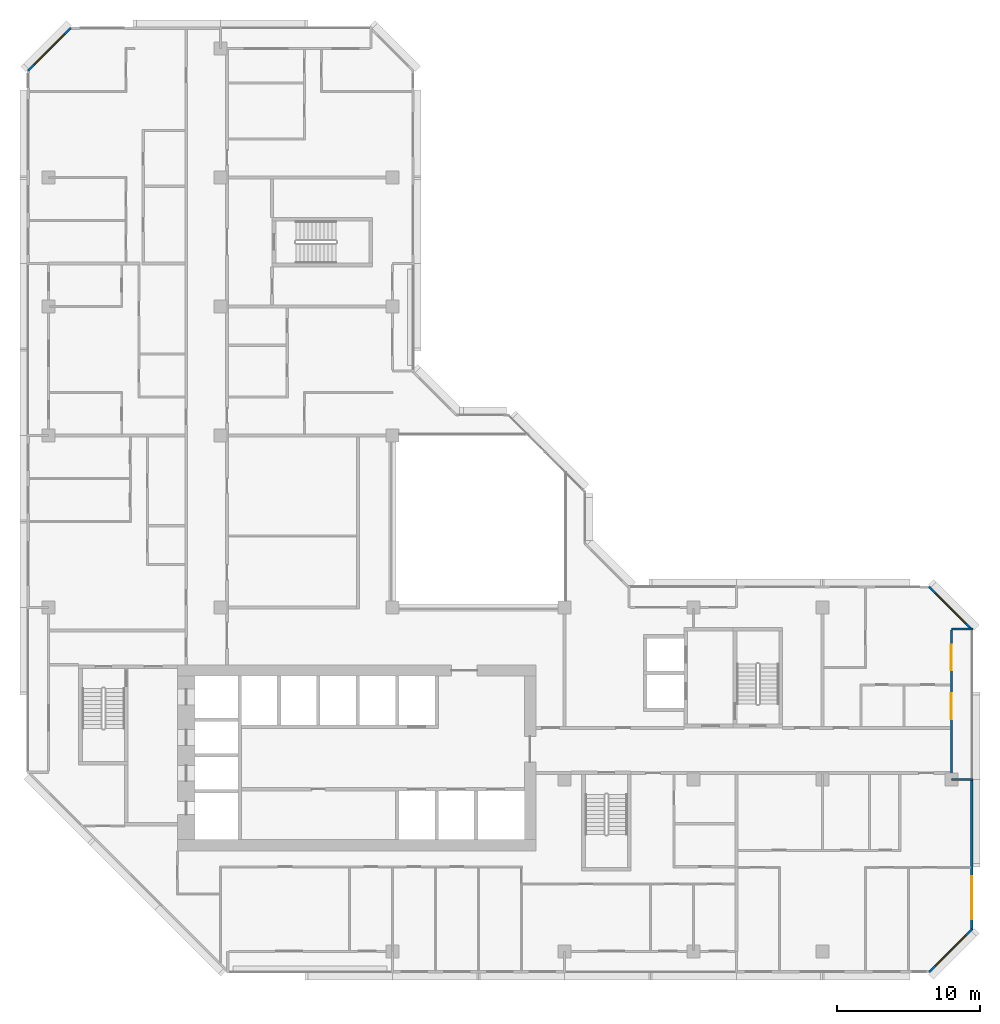
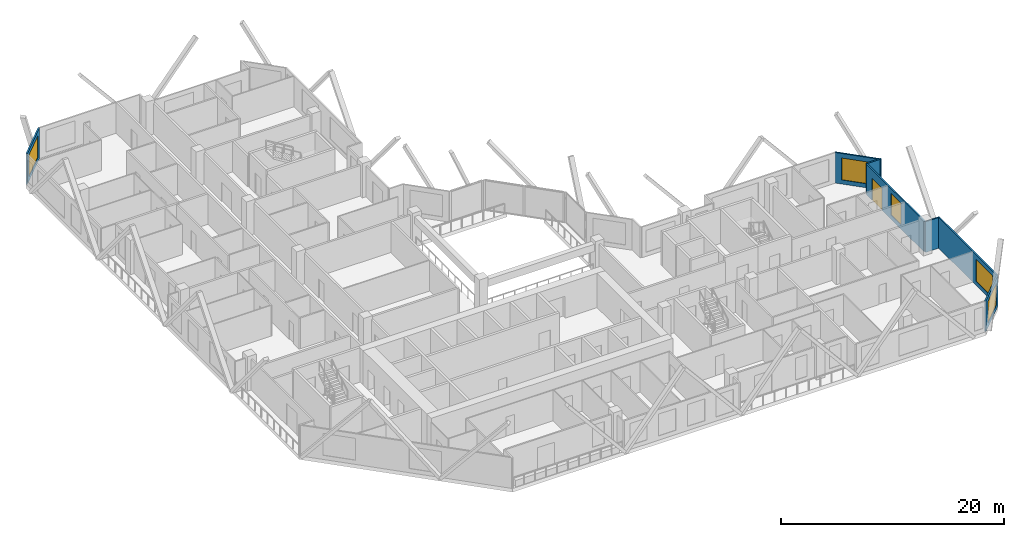
# One storey, part 11 of 14: 7 walls, 5 windows, 1 door, 6 openings.
"""IFC4 building model written with IfcOpenShell, lengths in metres."""

from ifc_helpers import new_model, si_unit, direction, frame, frame_2d, origin, place, context, subcontext, project, spatial, rectangle, extrude, material, layer, layer_set, type_object, element, fill, save


model = new_model("IFC4")

# Units and contexts
model_context = context("Model", 3, precision=1e-05, world=origin(), true_north=direction((0.0, 1.0)))
body_context = subcontext(model_context, "Body", "Model", "MODEL_VIEW")
ifc_project = project(units=[si_unit("LENGTHUNIT", "METRE"), si_unit("AREAUNIT", "SQUARE_METRE"), si_unit("VOLUMEUNIT", "CUBIC_METRE"), si_unit("PLANEANGLEUNIT", "RADIAN"), si_unit("MASSUNIT", "GRAM", prefix="KILO")], contexts=[model_context])

# Site, building, storey
site_placement = place(None, origin())
site = spatial("IfcSite", under=ifc_project, at=site_placement, CompositionType="ELEMENT")
building_placement = place(site_placement, origin())
building = spatial("IfcBuilding", under=site, at=building_placement, Name="Chenar Terraces", CompositionType="ELEMENT")
storey_placement = place(building_placement, frame((0.0, 0.0, 179.89990234375)))
storey = spatial("IfcBuildingStorey", under=building, at=storey_placement, Name="L41", CompositionType="ELEMENT", Elevation=179.89990234375)

# Wall, opening, window
ifc_material_1 = material(Name="Aluminium framed glazing", Category="aluminium")
ifc_layer_1 = layer(ifc_material_1, 0.14990234375)
ifc_layer_set_1 = layer_set([ifc_layer_1], Name="Aluminium framed glazing")
wall_type_1 = type_object("IfcWallType", Name="Glazed flush facade wall 150", PredefinedType="SOLIDWALL", material=ifc_layer_set_1)
wall_1_placement = place(storey_placement, frame((64.425048828125, 1.5, 0.0), z_axis=(0.0, 0.0, 1.0), x_axis=(0.0, 1.0, 0.0)))
wall_1 = element("IfcWall", 1, at=wall_1_placement, inside=storey, type_object=wall_type_1, Name="Glazed flush facade wall", PredefinedType="SOLIDWALL", context=body_context, shape_type="SweptSolid", body=[
    extrude(rectangle(XDim=10.425048828125, YDim=0.14990234375, at=frame_2d((5.21240234375, 0.0))), origin(), (0.0, 0.0, 1.0), 3.35009765625),
])
opening_1_placement = place(wall_1_placement, frame((0.75, 0.0, 0.449951171875)))
opening_1 = element("IfcOpeningElement", 2, at=opening_1_placement, cuts=wall_1, Name="Opening W300x240", PredefinedType="OPENING", context=body_context, shape_type="SweptSolid", body=[
    extrude(rectangle(XDim=3.0, YDim=2.39990234375, at=frame_2d((1.5, 1.199951171875))), frame((0.0, 0.0849609375, 0.0), z_axis=(0.0, -1.0, 0.0), x_axis=(1.0, 0.0, 0.0)), (0.0, 0.0, 1.0), 0.169921875),
])
ifc_material_2 = material(Name="Low emissivity double glazing, aluminium frame", Category="aluminium")
window_type_1 = type_object("IfcWindowType", Name="Fixed light 3000 x 2400", PartitioningType="SINGLE_PANEL", PredefinedType="WINDOW", material=ifc_material_2)
window_1_placement = place(opening_1_placement, origin())
window_1 = element("IfcWindow", 3, at=window_1_placement, inside=storey, type_object=window_type_1, Name="Window", OverallHeight=2.39990234375, OverallWidth=3.0, PartitioningType="SINGLE_PANEL", PredefinedType="WINDOW", context=body_context, shape_type="SweptSolid", body=[
    extrude(rectangle(XDim=3.0, YDim=2.39990234375, at=frame_2d((1.5, 1.199951171875))), frame((0.0, 0.030029296875, 0.0), z_axis=(0.0, -1.0, 0.0), x_axis=(1.0, 0.0, 0.0)), (0.0, 0.0, 1.0), 0.06005859375),
])
fill(opening_1, window_1)

# Wall, openings, window, door
ifc_material_3 = material(Name="Aluminium framed glazing", Category="aluminium")
ifc_layer_2 = layer(ifc_material_3, 0.14990234375)
ifc_layer_set_2 = layer_set([ifc_layer_2], Name="Aluminium framed glazing")
wall_type_2 = type_object("IfcWallType", Name="Glazed loggia back wall 150", PredefinedType="SOLIDWALL", material=ifc_layer_set_2)
wall_2_placement = place(storey_placement, frame((63.0, 12.074951171875, 0.0), z_axis=(0.0, 0.0, 1.0), x_axis=(0.0, 1.0, 0.0)))
wall_2 = element("IfcWall", 4, at=wall_2_placement, inside=storey, type_object=wall_type_2, Name="Glazed loggia back wall", PredefinedType="SOLIDWALL", context=body_context, shape_type="SweptSolid", body=[
    extrude(rectangle(XDim=10.35009765625, YDim=0.14990234375, at=frame_2d((5.175048828125, 0.0))), origin(), (0.0, 0.0, 1.0), 3.35009765625),
])
opening_2_placement = place(wall_2_placement, frame((4.125, 0.0, 0.449951171875)))
opening_2 = element("IfcOpeningElement", 5, at=opening_2_placement, cuts=wall_2, Name="Opening W180x240", PredefinedType="OPENING", context=body_context, shape_type="SweptSolid", body=[
    extrude(rectangle(XDim=1.800048828125, YDim=2.39990234375, at=frame_2d((0.89990234375, 1.199951171875))), frame((0.0, 0.0849609375, 0.0), z_axis=(0.0, -1.0, 0.0), x_axis=(1.0, 0.0, 0.0)), (0.0, 0.0, 1.0), 0.169921875),
])
opening_3_placement = place(wall_2_placement, frame((7.53759765625, 0.0, 0.0)))
opening_3 = element("IfcOpeningElement", 6, at=opening_3_placement, cuts=wall_2, Name="Opening DL41-G7", PredefinedType="OPENING", context=body_context, shape_type="SweptSolid", body=[
    extrude(rectangle(XDim=1.800048828125, YDim=2.39990234375, at=frame_2d((0.89990234375, 1.199951171875))), frame((0.0, 0.0849609375, 0.0), z_axis=(0.0, -1.0, 0.0), x_axis=(1.0, 0.0, 0.0)), (0.0, 0.0, 1.0), 0.169921875),
])
ifc_material_4 = material(Name="Low emissivity double glazing, aluminium frame", Category="aluminium")
window_type_2 = type_object("IfcWindowType", Name="Fixed light 1800 x 2400", PartitioningType="SINGLE_PANEL", PredefinedType="WINDOW", material=ifc_material_4)
window_2_placement = place(opening_2_placement, origin())
window_2 = element("IfcWindow", 7, at=window_2_placement, inside=storey, type_object=window_type_2, Name="Window", OverallHeight=2.39990234375, OverallWidth=1.800048828125, PartitioningType="SINGLE_PANEL", PredefinedType="WINDOW", context=body_context, shape_type="SweptSolid", body=[
    extrude(rectangle(XDim=1.800048828125, YDim=2.39990234375, at=frame_2d((0.89990234375, 1.199951171875))), frame((0.0, 0.030029296875, 0.0), z_axis=(0.0, -1.0, 0.0), x_axis=(1.0, 0.0, 0.0)), (0.0, 0.0, 1.0), 0.06005859375),
])
fill(opening_2, window_2)
ifc_material_5 = material(Name="Low emissivity double glazing, aluminium frame", Category="aluminium")
door_type = type_object("IfcDoorType", Name="Loggia glazed double door 1800 x 2400", OperationType="DOUBLE_DOOR_SINGLE_SWING", PredefinedType="DOOR", material=ifc_material_5)
door_placement = place(opening_3_placement, frame((1.800048828125, 0.0, 0.0), z_axis=(0.0, 0.0, 1.0), x_axis=(-1.0, 0.0, 0.0)))
door = element("IfcDoor", 8, at=door_placement, inside=storey, type_object=door_type, Name="Loggia glazed door", OperationType="DOUBLE_DOOR_SINGLE_SWING", OverallHeight=2.39990234375, OverallWidth=1.800048828125, PredefinedType="DOOR", context=body_context, shape_type="SweptSolid", body=[
    extrude(rectangle(XDim=1.800048828125, YDim=2.39990234375, at=frame_2d((0.89990234375, 1.199951171875))), frame((0.0, 0.02490234375, 0.0), z_axis=(0.0, -1.0, 0.0), x_axis=(1.0, 0.0, 0.0)), (0.0, 0.0, 1.0), 0.050048828125),
])
fill(opening_3, door)

# Walls
ifc_material_6 = material(Name="Terracotta cladding on insulated backing", Category="masonry")
ifc_layer_3 = layer(ifc_material_6, 0.14990234375)
ifc_layer_set_3 = layer_set([ifc_layer_3], Name="Terracotta cladding on insulated backing")
wall_type_3 = type_object("IfcWallType", Name="Loggia return wall 150", PredefinedType="SOLIDWALL", material=ifc_layer_set_3)
for number, where, z_axis, x_axis, name in (
    (9, (64.5, 12.0, 0.0), (0.0, 0.0, 1.0), (-1.0, 0.0, 0.0), "Loggia return wall"),
    (10, (64.5, 22.5, 0.0), (0.0, 0.0, 1.0), (-1.0, 0.0, 0.0), "Loggia return wall"),
):
    element("IfcWall", number, at=place(storey_placement, frame(where, z_axis=z_axis, x_axis=x_axis)), inside=storey, type_object=wall_type_3, Name=name, PredefinedType="SOLIDWALL", context=body_context, shape_type="SweptSolid", body=[
        extrude(rectangle(XDim=1.5, YDim=0.14990234375, at=frame_2d((0.75, 0.0))), origin(), (0.0, 0.0, 1.0), 3.35009765625),
    ])

# Wall, opening, window
ifc_material_7 = material(Name="Terracotta cladding on insulated backing", Category="masonry")
ifc_layer_4 = layer(ifc_material_7, 0.14990234375)
ifc_layer_set_4 = layer_set([ifc_layer_4], Name="Terracotta cladding on insulated backing")
wall_type_4 = type_object("IfcWallType", Name="Terracotta rainscreen wall 150", PredefinedType="SOLIDWALL", material=ifc_layer_set_4)
wall_3_placement = place(storey_placement, frame((1.552978515625, 64.447021484375, 0.0), z_axis=(0.0, 0.0, 1.0), x_axis=(-0.707106781187, -0.707106781187, 0.0)))
wall_3 = element("IfcWall", 11, at=wall_3_placement, inside=storey, type_object=wall_type_4, Name="Terracotta rainscreen wall", PredefinedType="SOLIDWALL", context=body_context, shape_type="SweptSolid", body=[
    extrude(rectangle(XDim=4.24267578125, YDim=0.14990234375, at=frame_2d((2.121337890625, 0.0))), origin(), (0.0, 0.0, 1.0), 3.35009765625),
])
opening_4_placement = place(wall_3_placement, frame((0.621337890625, 0.0, 0.449951171875)))
opening_4 = element("IfcOpeningElement", 12, at=opening_4_placement, cuts=wall_3, Name="Opening W300x240", PredefinedType="OPENING", context=body_context, shape_type="SweptSolid", body=[
    extrude(rectangle(XDim=3.0, YDim=2.39990234375, at=frame_2d((1.5, 1.199951171875))), frame((0.0, 0.0849609375, 0.0), z_axis=(0.0, -1.0, 0.0), x_axis=(1.0, 0.0, 0.0)), (0.0, 0.0, 1.0), 0.169921875),
])
window_3_placement = place(opening_4_placement, origin())
window_3 = element("IfcWindow", 13, at=window_3_placement, inside=storey, type_object=window_type_1, Name="Window", OverallHeight=2.39990234375, OverallWidth=3.0, PartitioningType="SINGLE_PANEL", PredefinedType="WINDOW", context=body_context, shape_type="SweptSolid", body=[
    extrude(rectangle(XDim=3.0, YDim=2.39990234375, at=frame_2d((1.5, 1.199951171875))), frame((0.0, 0.030029296875, 0.0), z_axis=(0.0, -1.0, 0.0), x_axis=(1.0, 0.0, 0.0)), (0.0, 0.0, 1.0), 0.06005859375),
])
fill(opening_4, window_3)

wall_4_placement = place(storey_placement, frame((61.447021484375, -1.447021484375, 0.0), z_axis=(0.0, 0.0, 1.0), x_axis=(0.707106781187, 0.707106781187, 0.0)))
wall_4 = element("IfcWall", 14, at=wall_4_placement, inside=storey, type_object=wall_type_4, Name="Terracotta rainscreen wall", PredefinedType="SOLIDWALL", context=body_context, shape_type="SweptSolid", body=[
    extrude(rectangle(XDim=4.24267578125, YDim=0.14990234375, at=frame_2d((2.121337890625, 0.0))), origin(), (0.0, 0.0, 1.0), 3.35009765625),
])
opening_5_placement = place(wall_4_placement, frame((0.621337890625, 0.0, 0.449951171875)))
opening_5 = element("IfcOpeningElement", 15, at=opening_5_placement, cuts=wall_4, Name="Opening W300x240", PredefinedType="OPENING", context=body_context, shape_type="SweptSolid", body=[
    extrude(rectangle(XDim=3.0, YDim=2.39990234375, at=frame_2d((1.5, 1.199951171875))), frame((0.0, 0.0849609375, 0.0), z_axis=(0.0, -1.0, 0.0), x_axis=(1.0, 0.0, 0.0)), (0.0, 0.0, 1.0), 0.169921875),
])
window_4_placement = place(opening_5_placement, origin())
window_4 = element("IfcWindow", 16, at=window_4_placement, inside=storey, type_object=window_type_1, Name="Window", OverallHeight=2.39990234375, OverallWidth=3.0, PartitioningType="SINGLE_PANEL", PredefinedType="WINDOW", context=body_context, shape_type="SweptSolid", body=[
    extrude(rectangle(XDim=3.0, YDim=2.39990234375, at=frame_2d((1.5, 1.199951171875))), frame((0.0, 0.030029296875, 0.0), z_axis=(0.0, -1.0, 0.0), x_axis=(1.0, 0.0, 0.0)), (0.0, 0.0, 1.0), 0.06005859375),
])
fill(opening_5, window_4)

wall_5_placement = place(storey_placement, frame((64.447021484375, 22.447021484375, 0.0), z_axis=(0.0, 0.0, 1.0), x_axis=(-0.707106781187, 0.707106781187, 0.0)))
wall_5 = element("IfcWall", 17, at=wall_5_placement, inside=storey, type_object=wall_type_4, Name="Terracotta rainscreen wall", PredefinedType="SOLIDWALL", context=body_context, shape_type="SweptSolid", body=[
    extrude(rectangle(XDim=4.24267578125, YDim=0.14990234375, at=frame_2d((2.121337890625, 0.0))), origin(), (0.0, 0.0, 1.0), 3.35009765625),
])
opening_6_placement = place(wall_5_placement, frame((0.621337890625, 0.0, 0.449951171875)))
opening_6 = element("IfcOpeningElement", 18, at=opening_6_placement, cuts=wall_5, Name="Opening W300x240", PredefinedType="OPENING", context=body_context, shape_type="SweptSolid", body=[
    extrude(rectangle(XDim=3.0, YDim=2.39990234375, at=frame_2d((1.5, 1.199951171875))), frame((0.0, 0.0849609375, 0.0), z_axis=(0.0, -1.0, 0.0), x_axis=(1.0, 0.0, 0.0)), (0.0, 0.0, 1.0), 0.169921875),
])
window_5_placement = place(opening_6_placement, origin())
window_5 = element("IfcWindow", 19, at=window_5_placement, inside=storey, type_object=window_type_1, Name="Window", OverallHeight=2.39990234375, OverallWidth=3.0, PartitioningType="SINGLE_PANEL", PredefinedType="WINDOW", context=body_context, shape_type="SweptSolid", body=[
    extrude(rectangle(XDim=3.0, YDim=2.39990234375, at=frame_2d((1.5, 1.199951171875))), frame((0.0, 0.030029296875, 0.0), z_axis=(0.0, -1.0, 0.0), x_axis=(1.0, 0.0, 0.0)), (0.0, 0.0, 1.0), 0.06005859375),
])
fill(opening_6, window_5)

save(model, "model.ifc")
